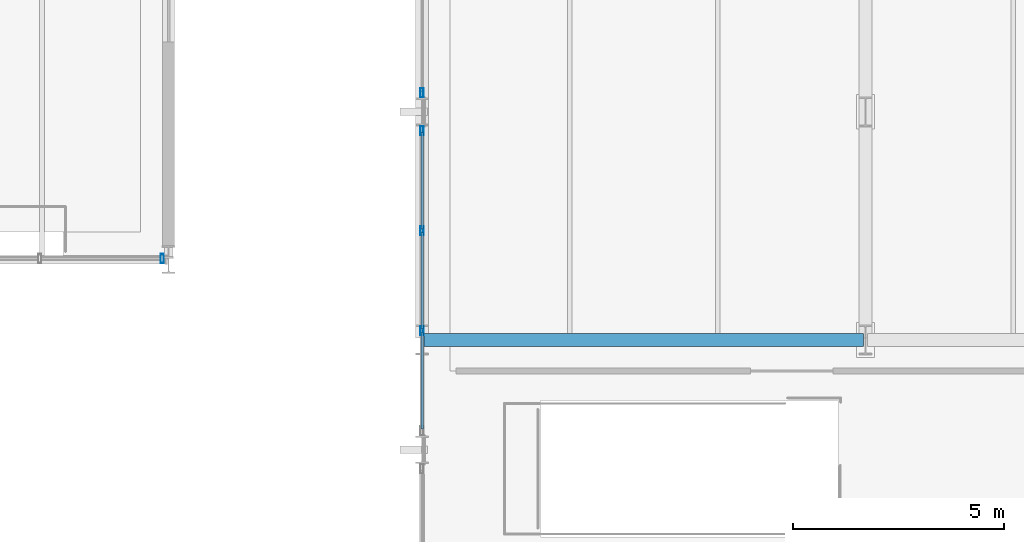
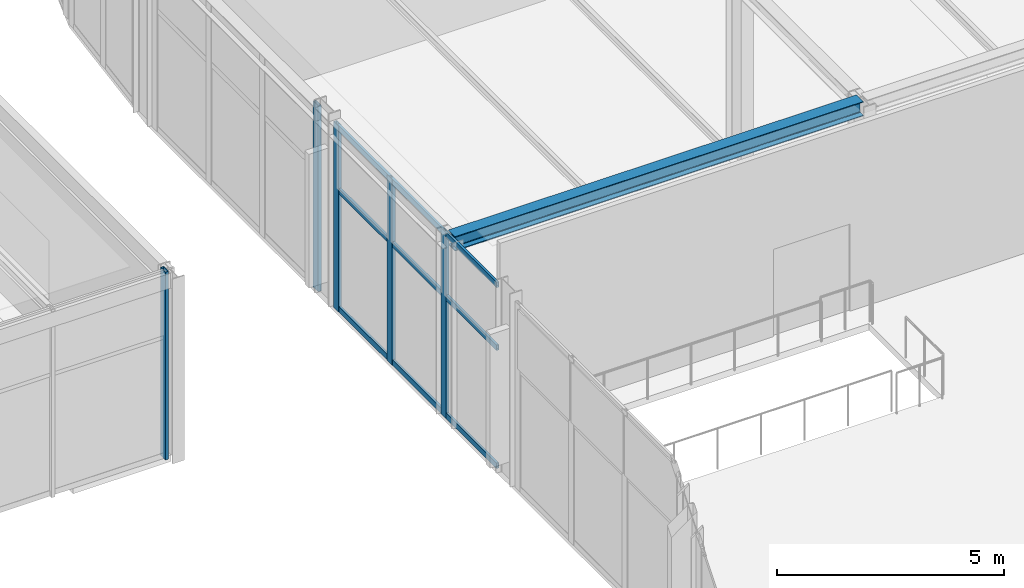
# One storey, part 52 of 195: 14 members, 1 beam, 3 elements without a shape of their own.
"""IFC4 building model written with IfcOpenShell, lengths in metres."""

from ifc_helpers import new_model, si_unit, direction, frame, origin, origin_2d, place, context, subcontext, project, spatial, hollow_rectangle, i_section, extrude, material, layer, layer_set, material_profile, profile_set, type_object, element, aggregate, save


model = new_model("IFC4")

# Units and contexts
model_context = context("Model", 3, precision=1e-05, world=origin(), true_north=direction((0.0, 1.0)))
body_context = subcontext(model_context, "Body", "Model", "MODEL_VIEW")
ifc_project = project(units=[si_unit("LENGTHUNIT", "METRE"), si_unit("AREAUNIT", "SQUARE_METRE"), si_unit("VOLUMEUNIT", "CUBIC_METRE"), si_unit("PLANEANGLEUNIT", "RADIAN"), si_unit("MASSUNIT", "GRAM", prefix="KILO")], contexts=[model_context])

# Site, building, storey
site_placement = place(None, origin())
site = spatial("IfcSite", under=ifc_project, at=site_placement, CompositionType="ELEMENT")
building_placement = place(site_placement, origin())
building = spatial("IfcBuilding", under=site, at=building_placement, Name="Marlcrest Central Station", CompositionType="ELEMENT")
storey_placement = place(building_placement, frame((0.0, 0.0, 9.800048828125)))
storey = spatial("IfcBuildingStorey", under=building, at=storey_placement, Name="L02", CompositionType="ELEMENT", Elevation=9.800048828125)

# Beam
ifc_material_1 = material(Name="Steel S355", Category="steel")
ifc_material_profile_1 = material_profile(ifc_material_1, i_section(OverallWidth=0.300048828125, OverallDepth=0.389892578125, WebThickness=0.010986328125, FlangeThickness=0.01904296875, FilletRadius=0.027099609375, at=origin_2d()), Name="HEA 400")
ifc_profile_set_1 = profile_set([ifc_material_profile_1], Name="Steel S355")
beam_type = type_object("IfcBeamType", Name="BM-08", PredefinedType="BEAM", material=ifc_profile_set_1)
beam_placement = place(storey_placement, frame((87.050048828125, 97.10009765625, 4.800048828125), z_axis=(1.0, 0.0, 0.0), x_axis=(0.0, 1.0, 0.0)))
element("IfcBeam", 1, at=beam_placement, inside=storey, type_object=beam_type, Name="bm-BM-08-L02-01500", PredefinedType="BEAM", context=body_context, shape_type="SweptSolid", body=[
    extrude(i_section(OverallWidth=0.300048828125, OverallDepth=0.389892578125, WebThickness=0.010986328125, FlangeThickness=0.01904296875, FilletRadius=0.027099609375, at=origin_2d()), origin(), (0.0, 0.0, 1.0), 10.39990234375),
])

# Curtain wall, members
ifc_material_2 = material(Name="Anodised aluminium and hurricane laminated glass", Category="aluminium")
ifc_layer = layer(ifc_material_2, 0.219970703125, Name="CW-U1")
ifc_layer_set = layer_set([ifc_layer], Name="Anodised aluminium and hurricane laminated glass")
curtain_wall_type = type_object("IfcCurtainWallType", Name="CW-U1", PredefinedType="USERDEFINED", material=ifc_layer_set)
curtain_wall_1_placement = place(storey_placement, origin())
curtain_wall_1 = element("IfcCurtainWall", 2, at=curtain_wall_1_placement, inside=storey, type_object=curtain_wall_type, Name="cw-L02-0135", ObjectType="UNITISED_CURTAIN_WALL", PredefinedType="USERDEFINED")
ifc_material_3 = material(Name="Anodised aluminium 6063-T6", Category="aluminium")
ifc_material_profile_2 = material_profile(ifc_material_3, hollow_rectangle(XDim=0.080078125, YDim=0.219970703125, WallThickness=0.006103515625, at=origin_2d()), Name="AA-RHS 220x80x6")
ifc_profile_set_2 = profile_set([ifc_material_profile_2], Name="Anodised aluminium 6063-T6")
member_type_1 = type_object("IfcMemberType", Name="ML-01", PredefinedType="MULLION", material=ifc_profile_set_2)
member_1_placement = place(storey_placement, frame((87.0, 97.316650390625, -0.030029296875), z_axis=(0.0, 0.0, 1.0), x_axis=(1.0, 0.0, 0.0)))
member_1 = element("IfcMember", 3, at=member_1_placement, type_object=member_type_1, Name="cw-L02-0135-ml-1", PredefinedType="MULLION", context=body_context, shape_type="SweptSolid", body=[
    extrude(hollow_rectangle(XDim=0.080078125, YDim=0.219970703125, WallThickness=0.006103515625, at=origin_2d()), origin(), (0.0, 0.0, 1.0), 5.010009765625),
])
member_2_placement = place(storey_placement, frame((87.0, 99.683349609375, -0.030029296875), z_axis=(0.0, 0.0, 1.0), x_axis=(1.0, 0.0, 0.0)))
member_2 = element("IfcMember", 4, at=member_2_placement, type_object=member_type_1, Name="cw-L02-0135-ml-2", PredefinedType="MULLION", context=body_context, shape_type="SweptSolid", body=[
    extrude(hollow_rectangle(XDim=0.080078125, YDim=0.219970703125, WallThickness=0.006103515625, at=origin_2d()), origin(), (0.0, 0.0, 1.0), 5.010009765625),
])
member_3_placement = place(storey_placement, frame((87.0, 102.050048828125, -0.030029296875), z_axis=(0.0, 0.0, 1.0), x_axis=(1.0, 0.0, 0.0)))
member_3 = element("IfcMember", 5, at=member_3_placement, type_object=member_type_1, Name="cw-L02-0135-ml-3", PredefinedType="MULLION", context=body_context, shape_type="SweptSolid", body=[
    extrude(hollow_rectangle(XDim=0.080078125, YDim=0.219970703125, WallThickness=0.006103515625, at=origin_2d()), origin(), (0.0, 0.0, 1.0), 5.010009765625),
])

# Curtain wall, member
curtain_wall_2_placement = place(storey_placement, origin())
curtain_wall_2 = element("IfcCurtainWall", 6, at=curtain_wall_2_placement, inside=storey, type_object=curtain_wall_type, Name="cw-L02-0139", ObjectType="UNITISED_CURTAIN_WALL", PredefinedType="USERDEFINED")
member_4_placement = place(storey_placement, frame((87.0, 102.949951171875, -0.030029296875), z_axis=(0.0, 0.0, 1.0), x_axis=(1.0, 0.0, 0.0)))
member_4 = element("IfcMember", 7, at=member_4_placement, type_object=member_type_1, Name="cw-L02-0139-ml-0", PredefinedType="MULLION", context=body_context, shape_type="SweptSolid", body=[
    extrude(hollow_rectangle(XDim=0.080078125, YDim=0.219970703125, WallThickness=0.006103515625, at=origin_2d()), origin(), (0.0, 0.0, 1.0), 5.010009765625),
])
aggregate(curtain_wall_2, [member_4])

curtain_wall_3_placement = place(storey_placement, origin())
curtain_wall_3 = element("IfcCurtainWall", 8, at=curtain_wall_3_placement, inside=storey, type_object=curtain_wall_type, Name="cw-L02-0165", ObjectType="UNITISED_CURTAIN_WALL", PredefinedType="USERDEFINED")
member_5_placement = place(storey_placement, frame((80.85009765625, 99.030029296875, -0.030029296875), z_axis=(0.0, 0.0, 1.0), x_axis=(1.0, 0.0, 0.0)))
member_5 = element("IfcMember", 9, at=member_5_placement, type_object=member_type_1, Name="cw-L02-0165-ml-0", PredefinedType="MULLION", context=body_context, shape_type="SweptSolid", body=[
    extrude(hollow_rectangle(XDim=0.080078125, YDim=0.219970703125, WallThickness=0.006103515625, at=origin_2d()), origin(), (0.0, 0.0, 1.0), 5.06005859375),
])
aggregate(curtain_wall_3, [member_5])

# Member
ifc_material_profile_3 = material_profile(ifc_material_3, hollow_rectangle(XDim=0.06005859375, YDim=0.14990234375, WallThickness=0.00390625, at=origin_2d()), Name="AA-RHS 150x60x4")
ifc_profile_set_3 = profile_set([ifc_material_profile_3], Name="Anodised aluminium 6063-T6")
member_type_2 = type_object("IfcMemberType", Name="TR-01", PredefinedType="USERDEFINED", material=ifc_profile_set_3)
member_6_placement = place(storey_placement, frame((87.0, 94.988037109375, 0.0400390625), z_axis=(0.0, 1.0, 0.0), x_axis=(-1.0, 0.0, 0.0)))
member_6 = element("IfcMember", 10, at=member_6_placement, type_object=member_type_2, Name="cw-L02-0135-tr-0-sill", ObjectType="TRANSOM", PredefinedType="USERDEFINED", context=body_context, shape_type="SweptSolid", body=[
    extrude(hollow_rectangle(XDim=0.06005859375, YDim=0.14990234375, WallThickness=0.00390625, at=origin_2d()), origin(), (0.0, 0.0, 1.0), 2.290771484375),
])

member_7_placement = place(storey_placement, frame((87.0, 94.988037109375, 3.218017578125), z_axis=(0.0, 1.0, 0.0), x_axis=(-1.0, 0.0, 0.0)))
member_7 = element("IfcMember", 11, at=member_7_placement, type_object=member_type_2, Name="cw-L02-0135-tr-0-mid", ObjectType="TRANSOM", PredefinedType="USERDEFINED", context=body_context, shape_type="SweptSolid", body=[
    extrude(hollow_rectangle(XDim=0.06005859375, YDim=0.14990234375, WallThickness=0.00390625, at=origin_2d()), origin(), (0.0, 0.0, 1.0), 2.290771484375),
])

member_8_placement = place(storey_placement, frame((87.0, 94.988037109375, 4.909912109375), z_axis=(0.0, 1.0, 0.0), x_axis=(-1.0, 0.0, 0.0)))
member_8 = element("IfcMember", 12, at=member_8_placement, type_object=member_type_2, Name="cw-L02-0135-tr-0-head", ObjectType="TRANSOM", PredefinedType="USERDEFINED", context=body_context, shape_type="SweptSolid", body=[
    extrude(hollow_rectangle(XDim=0.06005859375, YDim=0.14990234375, WallThickness=0.00390625, at=origin_2d()), origin(), (0.0, 0.0, 1.0), 2.290771484375),
])

member_9_placement = place(storey_placement, frame((87.0, 97.354736328125, 0.0400390625), z_axis=(0.0, 1.0, 0.0), x_axis=(-1.0, 0.0, 0.0)))
member_9 = element("IfcMember", 13, at=member_9_placement, type_object=member_type_2, Name="cw-L02-0135-tr-1-sill", ObjectType="TRANSOM", PredefinedType="USERDEFINED", context=body_context, shape_type="SweptSolid", body=[
    extrude(hollow_rectangle(XDim=0.06005859375, YDim=0.14990234375, WallThickness=0.00390625, at=origin_2d()), origin(), (0.0, 0.0, 1.0), 2.29052734375),
])

member_10_placement = place(storey_placement, frame((87.0, 97.354736328125, 3.218017578125), z_axis=(0.0, 1.0, 0.0), x_axis=(-1.0, 0.0, 0.0)))
member_10 = element("IfcMember", 14, at=member_10_placement, type_object=member_type_2, Name="cw-L02-0135-tr-1-mid", ObjectType="TRANSOM", PredefinedType="USERDEFINED", context=body_context, shape_type="SweptSolid", body=[
    extrude(hollow_rectangle(XDim=0.06005859375, YDim=0.14990234375, WallThickness=0.00390625, at=origin_2d()), origin(), (0.0, 0.0, 1.0), 2.29052734375),
])

member_11_placement = place(storey_placement, frame((87.0, 97.354736328125, 4.909912109375), z_axis=(0.0, 1.0, 0.0), x_axis=(-1.0, 0.0, 0.0)))
member_11 = element("IfcMember", 15, at=member_11_placement, type_object=member_type_2, Name="cw-L02-0135-tr-1-head", ObjectType="TRANSOM", PredefinedType="USERDEFINED", context=body_context, shape_type="SweptSolid", body=[
    extrude(hollow_rectangle(XDim=0.06005859375, YDim=0.14990234375, WallThickness=0.00390625, at=origin_2d()), origin(), (0.0, 0.0, 1.0), 2.29052734375),
])

member_12_placement = place(storey_placement, frame((87.0, 99.72119140625, 0.0400390625), z_axis=(0.0, 1.0, 0.0), x_axis=(-1.0, 0.0, 0.0)))
member_12 = element("IfcMember", 16, at=member_12_placement, type_object=member_type_2, Name="cw-L02-0135-tr-2-sill", ObjectType="TRANSOM", PredefinedType="USERDEFINED", context=body_context, shape_type="SweptSolid", body=[
    extrude(hollow_rectangle(XDim=0.06005859375, YDim=0.14990234375, WallThickness=0.00390625, at=origin_2d()), origin(), (0.0, 0.0, 1.0), 2.290771484375),
])

member_13_placement = place(storey_placement, frame((87.0, 99.72119140625, 3.218017578125), z_axis=(0.0, 1.0, 0.0), x_axis=(-1.0, 0.0, 0.0)))
member_13 = element("IfcMember", 17, at=member_13_placement, type_object=member_type_2, Name="cw-L02-0135-tr-2-mid", ObjectType="TRANSOM", PredefinedType="USERDEFINED", context=body_context, shape_type="SweptSolid", body=[
    extrude(hollow_rectangle(XDim=0.06005859375, YDim=0.14990234375, WallThickness=0.00390625, at=origin_2d()), origin(), (0.0, 0.0, 1.0), 2.290771484375),
])

member_14_placement = place(storey_placement, frame((87.0, 99.72119140625, 4.909912109375), z_axis=(0.0, 1.0, 0.0), x_axis=(-1.0, 0.0, 0.0)))
member_14 = element("IfcMember", 18, at=member_14_placement, type_object=member_type_2, Name="cw-L02-0135-tr-2-head", ObjectType="TRANSOM", PredefinedType="USERDEFINED", context=body_context, shape_type="SweptSolid", body=[
    extrude(hollow_rectangle(XDim=0.06005859375, YDim=0.14990234375, WallThickness=0.00390625, at=origin_2d()), origin(), (0.0, 0.0, 1.0), 2.290771484375),
])

aggregate(curtain_wall_1, [member_1, member_2, member_3, member_6, member_7, member_8, member_9, member_10, member_11, member_12, member_13, member_14])

save(model, "model.ifc")
